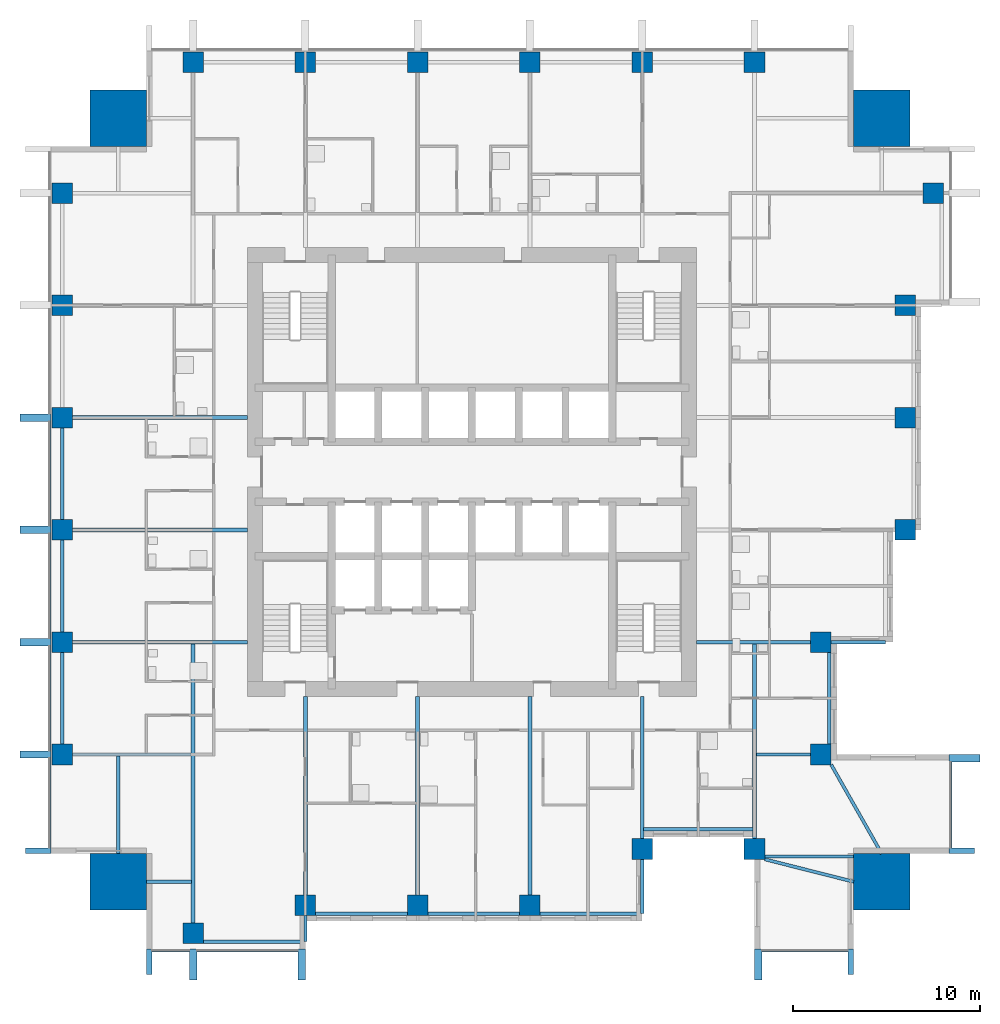
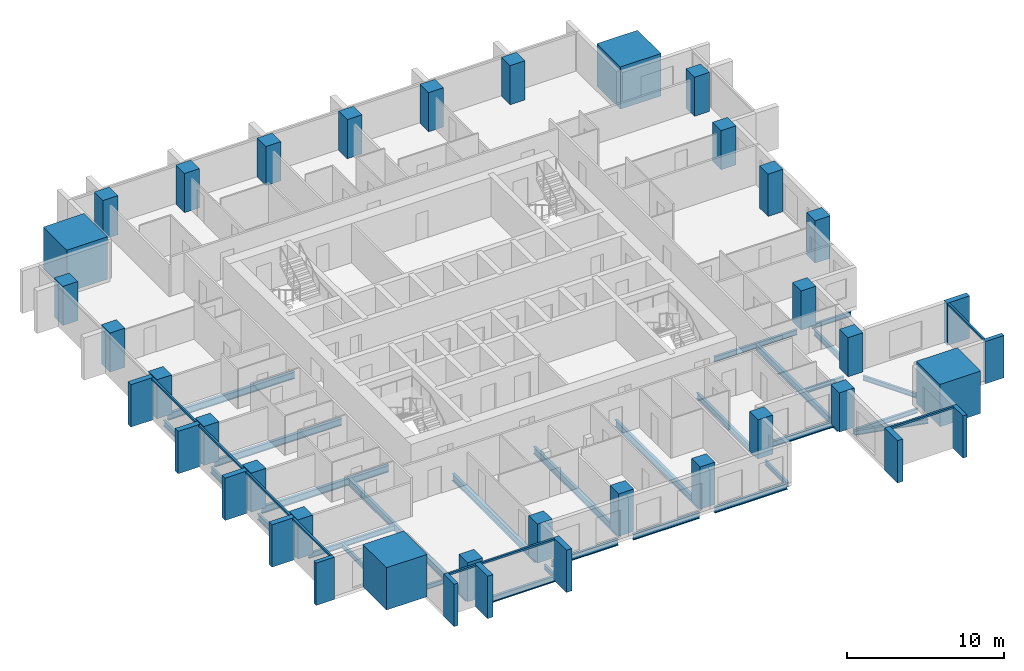
# One storey, part 1 of 10: 29 beams, 28 columns, 20 members, 4 elements without a shape of their own.
"""IFC4 building model written with IfcOpenShell, lengths in metres."""

from ifc_helpers import new_model, si_unit, direction, frame, origin, origin_2d, place, context, subcontext, project, spatial, rectangle, i_section, extrude, material, material_profile, profile_set, type_object, element, aggregate, save


model = new_model("IFC4")

# Units and contexts
model_context = context("Model", 3, precision=1e-05, world=origin(), true_north=direction((0.0, 1.0)))
body_context = subcontext(model_context, "Body", "Model", "MODEL_VIEW")
ifc_project = project(units=[si_unit("LENGTHUNIT", "METRE"), si_unit("AREAUNIT", "SQUARE_METRE"), si_unit("VOLUMEUNIT", "CUBIC_METRE"), si_unit("PLANEANGLEUNIT", "RADIAN"), si_unit("MASSUNIT", "GRAM", prefix="KILO")], contexts=[model_context])

# Site, building, storey
site_placement = place(None, origin())
site = spatial("IfcSite", under=ifc_project, at=site_placement, CompositionType="ELEMENT")
building_placement = place(site_placement, origin())
building = spatial("IfcBuilding", under=site, at=building_placement, Name="Amberfall Residences", CompositionType="ELEMENT")
storey_placement = place(building_placement, frame((0.0, 0.0, 105.10009765625)))
storey = spatial("IfcBuildingStorey", under=building, at=storey_placement, Name="L28", CompositionType="ELEMENT", Elevation=105.10009765625)

# Columns
ifc_material_1 = material(Name="Concrete C70", Category="concrete")
ifc_material_profile_1 = material_profile(ifc_material_1, rectangle(XDim=1.10009765625, YDim=1.10009765625, at=origin_2d()), Name="Column 1100 x 1100 C70")
ifc_profile_set_1 = profile_set([ifc_material_profile_1], Name="Concrete C70")
column_type_1 = type_object("IfcColumnType", Name="Column 1100 x 1100 C70", PredefinedType="COLUMN", material=ifc_profile_set_1)
for number, where, z_axis, x_axis, name in (
    (1, (59.60009765625, 20.85009765625, 0.0), (0.0, 0.0, 1.0), (1.0, 0.0, 0.0), "Column C2 L28 S1"),
    (2, (65.60009765625, 22.35009765625, 0.0), (0.0, 0.0, 1.0), (1.0, 0.0, 0.0), "Column C2 L28 S2"),
):
    element("IfcColumn", number, at=place(storey_placement, frame(where, z_axis=z_axis, x_axis=x_axis)), inside=storey, type_object=column_type_1, Name=name, PredefinedType="COLUMN", context=body_context, shape_type="SweptSolid", body=[
        extrude(rectangle(XDim=1.10009765625, YDim=1.10009765625, at=origin_2d()), origin(), (0.0, 0.0, 1.0), 3.0498046875),
    ])
for number, where, z_axis, x_axis, name in (
    (3, (71.60009765625, 22.35009765625, 0.0), (0.0, 0.0, 1.0), (1.0, 0.0, 0.0), "Column C2 L28 S3"),
    (4, (77.60009765625, 22.35009765625, 0.0), (0.0, 0.0, 1.0), (1.0, 0.0, 0.0), "Column C2 L28 S4"),
):
    element("IfcColumn", number, at=place(storey_placement, frame(where, z_axis=z_axis, x_axis=x_axis)), inside=storey, type_object=column_type_1, Name=name, PredefinedType="COLUMN", context=body_context, shape_type="SweptSolid", body=[
        extrude(rectangle(XDim=1.10009765625, YDim=1.10009765625, at=origin_2d()), origin(), (0.0, 0.0, 1.0), 3.2998046875),
    ])
for number, where, z_axis, x_axis, name in (
    (5, (83.60009765625, 25.35009765625, 0.0), (0.0, 0.0, 1.0), (1.0, 0.0, 0.0), "Column C2 L28 S5"),
    (6, (89.60009765625, 25.35009765625, 0.0), (0.0, 0.0, 1.0), (1.0, 0.0, 0.0), "Column C2 L28 S6"),
    (7, (93.14990234375, 30.39990234375, 0.0), (0.0, 0.0, 1.0), (1.0, 0.0, 0.0), "Column C2 L28 E1"),
    (8, (93.14990234375, 36.39990234375, 0.0), (0.0, 0.0, 1.0), (1.0, 0.0, 0.0), "Column C2 L28 E2"),
):
    element("IfcColumn", number, at=place(storey_placement, frame(where, z_axis=z_axis, x_axis=x_axis)), inside=storey, type_object=column_type_1, Name=name, PredefinedType="COLUMN", context=body_context, shape_type="SweptSolid", body=[
        extrude(rectangle(XDim=1.10009765625, YDim=1.10009765625, at=origin_2d()), origin(), (0.0, 0.0, 1.0), 3.0498046875),
    ])
for number, where, z_axis, x_axis, name in (
    (9, (97.64990234375, 42.39990234375, 0.0), (0.0, 0.0, 1.0), (1.0, 0.0, 0.0), "Column C2 L28 E3"),
    (10, (97.64990234375, 48.39990234375, 0.0), (0.0, 0.0, 1.0), (1.0, 0.0, 0.0), "Column C2 L28 E4"),
):
    element("IfcColumn", number, at=place(storey_placement, frame(where, z_axis=z_axis, x_axis=x_axis)), inside=storey, type_object=column_type_1, Name=name, PredefinedType="COLUMN", context=body_context, shape_type="SweptSolid", body=[
        extrude(rectangle(XDim=1.10009765625, YDim=1.10009765625, at=origin_2d()), origin(), (0.0, 0.0, 1.0), 3.2998046875),
    ])
for number, where, z_axis, x_axis, name in (
    (11, (97.64990234375, 54.39990234375, 0.0), (0.0, 0.0, 1.0), (1.0, 0.0, 0.0), "Column C2 L28 E5"),
    (12, (99.14990234375, 60.39990234375, 0.0), (0.0, 0.0, 1.0), (1.0, 0.0, 0.0), "Column C2 L28 E6"),
    (13, (59.60009765625, 67.39990234375, 0.0), (0.0, 0.0, 1.0), (1.0, 0.0, 0.0), "Column C2 L28 N1"),
    (14, (65.60009765625, 67.39990234375, 0.0), (0.0, 0.0, 1.0), (1.0, 0.0, 0.0), "Column C2 L28 N2"),
    (15, (71.60009765625, 67.39990234375, 0.0), (0.0, 0.0, 1.0), (1.0, 0.0, 0.0), "Column C2 L28 N3"),
    (16, (77.60009765625, 67.39990234375, 0.0), (0.0, 0.0, 1.0), (1.0, 0.0, 0.0), "Column C2 L28 N4"),
    (17, (83.60009765625, 67.39990234375, 0.0), (0.0, 0.0, 1.0), (1.0, 0.0, 0.0), "Column C2 L28 N5"),
    (18, (89.60009765625, 67.39990234375, 0.0), (0.0, 0.0, 1.0), (1.0, 0.0, 0.0), "Column C2 L28 N6"),
    (19, (52.60009765625, 30.39990234375, 0.0), (0.0, 0.0, 1.0), (1.0, 0.0, 0.0), "Column C2 L28 W1"),
    (20, (52.60009765625, 36.39990234375, 0.0), (0.0, 0.0, 1.0), (1.0, 0.0, 0.0), "Column C2 L28 W2"),
    (21, (52.60009765625, 42.39990234375, 0.0), (0.0, 0.0, 1.0), (1.0, 0.0, 0.0), "Column C2 L28 W3"),
    (22, (52.60009765625, 48.39990234375, 0.0), (0.0, 0.0, 1.0), (1.0, 0.0, 0.0), "Column C2 L28 W4"),
    (23, (52.60009765625, 54.39990234375, 0.0), (0.0, 0.0, 1.0), (1.0, 0.0, 0.0), "Column C2 L28 W5"),
    (24, (52.60009765625, 60.39990234375, 0.0), (0.0, 0.0, 1.0), (1.0, 0.0, 0.0), "Column C2 L28 W6"),
):
    element("IfcColumn", number, at=place(storey_placement, frame(where, z_axis=z_axis, x_axis=x_axis)), inside=storey, type_object=column_type_1, Name=name, PredefinedType="COLUMN", context=body_context, shape_type="SweptSolid", body=[
        extrude(rectangle(XDim=1.10009765625, YDim=1.10009765625, at=origin_2d()), origin(), (0.0, 0.0, 1.0), 3.0498046875),
    ])
ifc_material_profile_2 = material_profile(ifc_material_1, rectangle(XDim=3.0, YDim=3.0, at=origin_2d()), Name="Mega column 3000 x 3000 C70")
ifc_profile_set_2 = profile_set([ifc_material_profile_2], Name="Concrete C70")
column_type_2 = type_object("IfcColumnType", Name="Mega column 3000 x 3000 C70", PredefinedType="COLUMN", material=ifc_profile_set_2)
for number, where, z_axis, x_axis, name in (
    (25, (55.60009765625, 23.60009765625, 0.0), (0.0, 0.0, 1.0), (1.0, 0.0, 0.0), "Mega column MC2 L28 SW"),
    (26, (96.39990234375, 23.60009765625, 0.0), (0.0, 0.0, 1.0), (1.0, 0.0, 0.0), "Mega column MC2 L28 SE"),
    (27, (96.39990234375, 64.39990234375, 0.0), (0.0, 0.0, 1.0), (1.0, 0.0, 0.0), "Mega column MC2 L28 NE"),
    (28, (55.60009765625, 64.39990234375, 0.0), (0.0, 0.0, 1.0), (1.0, 0.0, 0.0), "Mega column MC2 L28 NW"),
):
    element("IfcColumn", number, at=place(storey_placement, frame(where, z_axis=z_axis, x_axis=x_axis)), inside=storey, type_object=column_type_2, Name=name, PredefinedType="COLUMN", context=body_context, shape_type="SweptSolid", body=[
        extrude(rectangle(XDim=3.0, YDim=3.0, at=origin_2d()), origin(), (0.0, 0.0, 1.0), 3.2998046875),
    ])

# Curtain wall, members
ifc_material_2 = material(Name="Bronze anodised aluminium and glass", Category="aluminium")
curtain_wall_type = type_object("IfcCurtainWallType", Name="Curtain wall CW1 tower unit", PredefinedType="USERDEFINED", material=ifc_material_2)
curtain_wall_1_placement = place(storey_placement, origin())
curtain_wall_1 = element("IfcCurtainWall", 29, at=curtain_wall_1_placement, inside=storey, type_object=curtain_wall_type, Name="Curtain wall L28 S S1", ObjectType="UNITISED CURTAIN WALL", PredefinedType="USERDEFINED")
ifc_material_3 = material(Name="Bronze anodised aluminium", Category="aluminium")
ifc_material_profile_3 = material_profile(ifc_material_3, rectangle(XDim=0.14990234375, YDim=0.14990234375, at=origin_2d()), Name="CW1 transom 150 x 150 bronze")
ifc_profile_set_3 = profile_set([ifc_material_profile_3], Name="Bronze anodised aluminium")
member_type_1 = type_object("IfcMemberType", Name="CW1 transom 150 x 150 bronze", PredefinedType="USERDEFINED", material=ifc_profile_set_3)
member_1_placement = place(storey_placement, frame((57.39990234375, 19.925048828125, 2.974853515625), z_axis=(1.0, 0.0, 0.0), x_axis=(0.0, 1.0, 0.0)))
member_1 = element("IfcMember", 30, at=member_1_placement, type_object=member_type_1, Name="CW1 transom 1.1", ObjectType="TRANSOM", PredefinedType="USERDEFINED", context=body_context, shape_type="SweptSolid", body=[
    extrude(rectangle(XDim=0.14990234375, YDim=0.14990234375, at=origin_2d()), origin(), (0.0, 0.0, 1.0), 2.0),
])
member_2_placement = place(storey_placement, frame((59.800048828125, 19.925048828125, 2.974853515625), z_axis=(1.0, 0.0, 0.0), x_axis=(0.0, 1.0, 0.0)))
member_2 = element("IfcMember", 31, at=member_2_placement, type_object=member_type_1, Name="CW1 transom 2.1", ObjectType="TRANSOM", PredefinedType="USERDEFINED", context=body_context, shape_type="SweptSolid", body=[
    extrude(rectangle(XDim=0.14990234375, YDim=0.14990234375, at=origin_2d()), origin(), (0.0, 0.0, 1.0), 5.39990234375),
])

# Curtain wall, member
curtain_wall_2_placement = place(storey_placement, origin())
curtain_wall_2 = element("IfcCurtainWall", 32, at=curtain_wall_2_placement, inside=storey, type_object=curtain_wall_type, Name="Curtain wall L28 S S9", ObjectType="UNITISED CURTAIN WALL", PredefinedType="USERDEFINED")
member_3_placement = place(storey_placement, frame((90.0, 19.925048828125, 2.974853515625), z_axis=(1.0, 0.0, 0.0), x_axis=(0.0, 1.0, 0.0)))
member_3 = element("IfcMember", 33, at=member_3_placement, type_object=member_type_1, Name="CW1 transom 1.1", ObjectType="TRANSOM", PredefinedType="USERDEFINED", context=body_context, shape_type="SweptSolid", body=[
    extrude(rectangle(XDim=0.14990234375, YDim=0.14990234375, at=origin_2d()), origin(), (0.0, 0.0, 1.0), 4.60009765625),
])

curtain_wall_3_placement = place(storey_placement, origin())
curtain_wall_3 = element("IfcCurtainWall", 34, at=curtain_wall_3_placement, inside=storey, type_object=curtain_wall_type, Name="Curtain wall L28 E E1", ObjectType="UNITISED CURTAIN WALL", PredefinedType="USERDEFINED")
member_4_placement = place(storey_placement, frame((100.074951171875, 25.39990234375, 2.974853515625), z_axis=(0.0, 1.0, 0.0), x_axis=(-1.0, 0.0, 0.0)))
member_4 = element("IfcMember", 35, at=member_4_placement, type_object=member_type_1, Name="CW1 transom 1.1", ObjectType="TRANSOM", PredefinedType="USERDEFINED", context=body_context, shape_type="SweptSolid", body=[
    extrude(rectangle(XDim=0.14990234375, YDim=0.14990234375, at=origin_2d()), origin(), (0.0, 0.0, 1.0), 4.60009765625),
])

# Curtain wall, members
curtain_wall_4_placement = place(storey_placement, origin())
curtain_wall_4 = element("IfcCurtainWall", 36, at=curtain_wall_4_placement, inside=storey, type_object=curtain_wall_type, Name="Curtain wall L28 W W1", ObjectType="UNITISED CURTAIN WALL", PredefinedType="USERDEFINED")
member_5_placement = place(storey_placement, frame((51.925048828125, 48.199951171875, 2.974853515625), z_axis=(0.0, -1.0, 0.0), x_axis=(1.0, 0.0, 0.0)))
member_5 = element("IfcMember", 37, at=member_5_placement, type_object=member_type_1, Name="CW1 transom 4.1", ObjectType="TRANSOM", PredefinedType="USERDEFINED", context=body_context, shape_type="SweptSolid", body=[
    extrude(rectangle(XDim=0.14990234375, YDim=0.14990234375, at=origin_2d()), origin(), (0.0, 0.0, 1.0), 5.599853515625),
])
member_6_placement = place(storey_placement, frame((51.925048828125, 42.199951171875, 2.974853515625), z_axis=(0.0, -1.0, 0.0), x_axis=(1.0, 0.0, 0.0)))
member_6 = element("IfcMember", 38, at=member_6_placement, type_object=member_type_1, Name="CW1 transom 5.1", ObjectType="TRANSOM", PredefinedType="USERDEFINED", context=body_context, shape_type="SweptSolid", body=[
    extrude(rectangle(XDim=0.14990234375, YDim=0.14990234375, at=origin_2d()), origin(), (0.0, 0.0, 1.0), 5.599853515625),
])
member_7_placement = place(storey_placement, frame((51.925048828125, 36.199951171875, 2.974853515625), z_axis=(0.0, -1.0, 0.0), x_axis=(1.0, 0.0, 0.0)))
member_7 = element("IfcMember", 39, at=member_7_placement, type_object=member_type_1, Name="CW1 transom 6.1", ObjectType="TRANSOM", PredefinedType="USERDEFINED", context=body_context, shape_type="SweptSolid", body=[
    extrude(rectangle(XDim=0.14990234375, YDim=0.14990234375, at=origin_2d()), origin(), (0.0, 0.0, 1.0), 5.599853515625),
])
member_8_placement = place(storey_placement, frame((51.925048828125, 30.199951171875, 2.974853515625), z_axis=(0.0, -1.0, 0.0), x_axis=(1.0, 0.0, 0.0)))
member_8 = element("IfcMember", 40, at=member_8_placement, type_object=member_type_1, Name="CW1 transom 7.1", ObjectType="TRANSOM", PredefinedType="USERDEFINED", context=body_context, shape_type="SweptSolid", body=[
    extrude(rectangle(XDim=0.14990234375, YDim=0.14990234375, at=origin_2d()), origin(), (0.0, 0.0, 1.0), 4.800048828125),
])

# Beams
ifc_material_4 = material(Name="Steel S355", Category="steel")
ifc_material_profile_4 = material_profile(ifc_material_4, i_section(OverallWidth=0.171142578125, OverallDepth=0.351318359375, WebThickness=0.007080078125, FlangeThickness=0.009765625, FilletRadius=0.01025390625, at=origin_2d()), Name="UB 356x171x45")
ifc_profile_set_4 = profile_set([ifc_material_profile_4], Name="Steel S355")
beam_type_1 = type_object("IfcBeamType", Name="Cantilever girder UB 356x171x45", PredefinedType="BEAM", material=ifc_profile_set_4)
beam_1_placement = place(storey_placement, frame((65.60009765625, 21.800048828125, -0.42578125), z_axis=(0.0, -1.0, 0.0), x_axis=(1.0, 0.0, 0.0)))
element("IfcBeam", 41, at=beam_1_placement, inside=storey, type_object=beam_type_1, Name="Cantilever girder B8 L28 06", PredefinedType="BEAM", context=body_context, shape_type="SweptSolid", body=[
    extrude(i_section(OverallWidth=0.171142578125, OverallDepth=0.351318359375, WebThickness=0.007080078125, FlangeThickness=0.009765625, FilletRadius=0.01025390625, at=origin_2d()), origin(), (0.0, 0.0, 1.0), 1.400146484375),
])
for number, where, z_axis, x_axis, name in (
    (42, (83.60009765625, 24.800048828125, -0.42578125), (0.0, -1.0, 0.0), (1.0, 0.0, 0.0), "Cantilever girder B8 L28 07"),
    (43, (93.699951171875, 36.39990234375, -0.42578125), (1.0, 0.0, 0.0), (0.0, 1.0, 0.0), "Cantilever girder B8 L28 19"),
):
    element("IfcBeam", number, at=place(storey_placement, frame(where, z_axis=z_axis, x_axis=x_axis)), inside=storey, type_object=beam_type_1, Name=name, PredefinedType="BEAM", context=body_context, shape_type="SweptSolid", body=[
        extrude(i_section(OverallWidth=0.171142578125, OverallDepth=0.351318359375, WebThickness=0.007080078125, FlangeThickness=0.009765625, FilletRadius=0.01025390625, at=origin_2d()), origin(), (0.0, 0.0, 1.0), 2.900146484375),
    ])

# Member
ifc_material_profile_5 = material_profile(ifc_material_3, rectangle(XDim=1.35009765625, YDim=0.300048828125, at=origin_2d()), Name="Corner fin 300 x 1350 bronze")
ifc_profile_set_5 = profile_set([ifc_material_profile_5], Name="Bronze anodised aluminium")
member_type_2 = type_object("IfcMemberType", Name="Corner fin 300 x 1350 bronze", PredefinedType="MULLION", material=ifc_profile_set_5)
member_9_placement = place(storey_placement, frame((57.25, 19.324951171875, -0.25), z_axis=(0.0, 0.0, 1.0), x_axis=(0.0, 1.0, 0.0)))
member_9 = element("IfcMember", 44, at=member_9_placement, type_object=member_type_2, Name="CW FIN 1", PredefinedType="MULLION", context=body_context, shape_type="SweptSolid", body=[
    extrude(rectangle(XDim=1.35009765625, YDim=0.300048828125, at=origin_2d()), origin(), (0.0, 0.0, 1.0), 3.2998046875),
])

member_10_placement = place(storey_placement, frame((94.75, 19.324951171875, -0.25), z_axis=(0.0, 0.0, 1.0), x_axis=(0.0, 1.0, 0.0)))
member_10 = element("IfcMember", 45, at=member_10_placement, type_object=member_type_2, Name="CW FIN 2", PredefinedType="MULLION", context=body_context, shape_type="SweptSolid", body=[
    extrude(rectangle(XDim=1.35009765625, YDim=0.300048828125, at=origin_2d()), origin(), (0.0, 0.0, 1.0), 3.2998046875),
])

member_11_placement = place(storey_placement, frame((100.675048828125, 25.25, -0.25), z_axis=(0.0, 0.0, 1.0), x_axis=(-1.0, 0.0, 0.0)))
member_11 = element("IfcMember", 46, at=member_11_placement, type_object=member_type_2, Name="CW FIN 1", PredefinedType="MULLION", context=body_context, shape_type="SweptSolid", body=[
    extrude(rectangle(XDim=1.35009765625, YDim=0.300048828125, at=origin_2d()), origin(), (0.0, 0.0, 1.0), 3.2998046875),
])

member_12_placement = place(storey_placement, frame((51.324951171875, 25.25, -0.25), z_axis=(0.0, 0.0, 1.0), x_axis=(1.0, 0.0, 0.0)))
member_12 = element("IfcMember", 47, at=member_12_placement, type_object=member_type_2, Name="CW FIN 8", PredefinedType="MULLION", context=body_context, shape_type="SweptSolid", body=[
    extrude(rectangle(XDim=1.35009765625, YDim=0.300048828125, at=origin_2d()), origin(), (0.0, 0.0, 1.0), 3.2998046875),
])

# Beams
ifc_material_profile_6 = material_profile(ifc_material_4, i_section(OverallWidth=0.18994140625, OverallDepth=0.453369140625, WebThickness=0.008544921875, FlangeThickness=0.0126953125, FilletRadius=0.01025390625, at=origin_2d()), Name="UB 457x191x67")
ifc_profile_set_6 = profile_set([ifc_material_profile_6], Name="Steel S355")
beam_type_2 = type_object("IfcBeamType", Name="Edge beam UB 457x191x67", PredefinedType="SPANDREL", material=ifc_profile_set_6)
beam_2_placement = place(storey_placement, frame((60.14990234375, 20.39990234375, -0.476806640625), z_axis=(1.0, 0.0, 0.0), x_axis=(0.0, 1.0, 0.0)))
element("IfcBeam", 48, at=beam_2_placement, inside=storey, type_object=beam_type_2, Name="Edge beam B1 L28 01", PredefinedType="SPANDREL", context=body_context, shape_type="SweptSolid", body=[
    extrude(i_section(OverallWidth=0.18994140625, OverallDepth=0.453369140625, WebThickness=0.008544921875, FlangeThickness=0.0126953125, FilletRadius=0.01025390625, at=origin_2d()), origin(), (0.0, 0.0, 1.0), 5.3701171875),
])
for number, where, z_axis, x_axis, name in (
    (49, (66.14990234375, 21.89990234375, -0.476806640625), (1.0, 0.0, 0.0), (0.0, 1.0, 0.0), "Edge beam B1 L28 02"),
    (50, (72.14990234375, 21.89990234375, -0.476806640625), (1.0, 0.0, 0.0), (0.0, 1.0, 0.0), "Edge beam B1 L28 03"),
):
    element("IfcBeam", number, at=place(storey_placement, frame(where, z_axis=z_axis, x_axis=x_axis)), inside=storey, type_object=beam_type_2, Name=name, PredefinedType="SPANDREL", context=body_context, shape_type="SweptSolid", body=[
        extrude(i_section(OverallWidth=0.18994140625, OverallDepth=0.453369140625, WebThickness=0.008544921875, FlangeThickness=0.0126953125, FilletRadius=0.01025390625, at=origin_2d()), origin(), (0.0, 0.0, 1.0), 4.900146484375),
    ])
beam_3_placement = place(storey_placement, frame((78.14990234375, 21.89990234375, -0.476806640625), z_axis=(1.0, 0.0, 0.0), x_axis=(0.0, 1.0, 0.0)))
element("IfcBeam", 51, at=beam_3_placement, inside=storey, type_object=beam_type_2, Name="Edge beam B1 L28 04", PredefinedType="SPANDREL", context=body_context, shape_type="SweptSolid", body=[
    extrude(i_section(OverallWidth=0.18994140625, OverallDepth=0.453369140625, WebThickness=0.008544921875, FlangeThickness=0.0126953125, FilletRadius=0.01025390625, at=origin_2d()), origin(), (0.0, 0.0, 1.0), 5.3701171875),
])
beam_4_placement = place(storey_placement, frame((83.679931640625, 26.39990234375, -0.476806640625), z_axis=(1.0, 0.0, 0.0), x_axis=(0.0, 1.0, 0.0)))
element("IfcBeam", 52, at=beam_4_placement, inside=storey, type_object=beam_type_2, Name="Edge beam B1 L28 05", PredefinedType="SPANDREL", context=body_context, shape_type="SweptSolid", body=[
    extrude(i_section(OverallWidth=0.18994140625, OverallDepth=0.453369140625, WebThickness=0.008544921875, FlangeThickness=0.0126953125, FilletRadius=0.01025390625, at=origin_2d()), origin(), (0.0, 0.0, 1.0), 5.840087890625),
])
for number, where, z_axis, x_axis, name in (
    (53, (93.60009765625, 30.949951171875, -0.476806640625), (0.0, 1.0, 0.0), (-1.0, 0.0, 0.0), "Edge beam B1 L28 14"),
    (54, (52.60009765625, 30.949951171875, -0.476806640625), (0.0, 1.0, 0.0), (-1.0, 0.0, 0.0), "Edge beam B1 L28 38"),
    (55, (52.60009765625, 36.949951171875, -0.476806640625), (0.0, 1.0, 0.0), (-1.0, 0.0, 0.0), "Edge beam B1 L28 39"),
    (56, (52.60009765625, 42.949951171875, -0.476806640625), (0.0, 1.0, 0.0), (-1.0, 0.0, 0.0), "Edge beam B1 L28 40"),
):
    element("IfcBeam", number, at=place(storey_placement, frame(where, z_axis=z_axis, x_axis=x_axis)), inside=storey, type_object=beam_type_2, Name=name, PredefinedType="SPANDREL", context=body_context, shape_type="SweptSolid", body=[
        extrude(i_section(OverallWidth=0.18994140625, OverallDepth=0.453369140625, WebThickness=0.008544921875, FlangeThickness=0.0126953125, FilletRadius=0.01025390625, at=origin_2d()), origin(), (0.0, 0.0, 1.0), 4.900146484375),
    ])

# Member
ifc_material_profile_7 = material_profile(ifc_material_3, rectangle(XDim=1.64990234375, YDim=0.39990234375, at=origin_2d()), Name="Fin 400 x 1650 bronze")
ifc_profile_set_7 = profile_set([ifc_material_profile_7], Name="Bronze anodised aluminium")
member_type_3 = type_object("IfcMemberType", Name="Fin 400 x 1650 bronze", PredefinedType="MULLION", material=ifc_profile_set_7)
member_13_placement = place(storey_placement, frame((59.60009765625, 19.175048828125, -0.25), z_axis=(0.0, 0.0, 1.0), x_axis=(0.0, 1.0, 0.0)))
member_13 = element("IfcMember", 57, at=member_13_placement, type_object=member_type_3, Name="CW FIN 2", PredefinedType="MULLION", context=body_context, shape_type="SweptSolid", body=[
    extrude(rectangle(XDim=1.64990234375, YDim=0.39990234375, at=origin_2d()), origin(), (0.0, 0.0, 1.0), 3.2998046875),
])

member_14_placement = place(storey_placement, frame((65.39990234375, 19.175048828125, -0.25), z_axis=(0.0, 0.0, 1.0), x_axis=(0.0, 1.0, 0.0)))
member_14 = element("IfcMember", 58, at=member_14_placement, type_object=member_type_3, Name="CW FIN 3", PredefinedType="MULLION", context=body_context, shape_type="SweptSolid", body=[
    extrude(rectangle(XDim=1.64990234375, YDim=0.39990234375, at=origin_2d()), origin(), (0.0, 0.0, 1.0), 3.2998046875),
])

aggregate(curtain_wall_1, [member_9, member_13, member_14, member_1, member_2])

member_15_placement = place(storey_placement, frame((89.800048828125, 19.175048828125, -0.25), z_axis=(0.0, 0.0, 1.0), x_axis=(0.0, 1.0, 0.0)))
member_15 = element("IfcMember", 59, at=member_15_placement, type_object=member_type_3, Name="CW FIN 1", PredefinedType="MULLION", context=body_context, shape_type="SweptSolid", body=[
    extrude(rectangle(XDim=1.64990234375, YDim=0.39990234375, at=origin_2d()), origin(), (0.0, 0.0, 1.0), 3.2998046875),
])

aggregate(curtain_wall_2, [member_15, member_10, member_3])

member_16_placement = place(storey_placement, frame((100.824951171875, 30.199951171875, -0.25), z_axis=(0.0, 0.0, 1.0), x_axis=(-1.0, 0.0, 0.0)))
member_16 = element("IfcMember", 60, at=member_16_placement, type_object=member_type_3, Name="CW FIN 2", PredefinedType="MULLION", context=body_context, shape_type="SweptSolid", body=[
    extrude(rectangle(XDim=1.64990234375, YDim=0.39990234375, at=origin_2d()), origin(), (0.0, 0.0, 1.0), 3.2998046875),
])

aggregate(curtain_wall_3, [member_11, member_16, member_4])

member_17_placement = place(storey_placement, frame((51.175048828125, 48.39990234375, -0.25), z_axis=(0.0, 0.0, 1.0), x_axis=(1.0, 0.0, 0.0)))
member_17 = element("IfcMember", 61, at=member_17_placement, type_object=member_type_3, Name="CW FIN 4", PredefinedType="MULLION", context=body_context, shape_type="SweptSolid", body=[
    extrude(rectangle(XDim=1.64990234375, YDim=0.39990234375, at=origin_2d()), origin(), (0.0, 0.0, 1.0), 3.2998046875),
])

member_18_placement = place(storey_placement, frame((51.175048828125, 42.39990234375, -0.25), z_axis=(0.0, 0.0, 1.0), x_axis=(1.0, 0.0, 0.0)))
member_18 = element("IfcMember", 62, at=member_18_placement, type_object=member_type_3, Name="CW FIN 5", PredefinedType="MULLION", context=body_context, shape_type="SweptSolid", body=[
    extrude(rectangle(XDim=1.64990234375, YDim=0.39990234375, at=origin_2d()), origin(), (0.0, 0.0, 1.0), 3.2998046875),
])

member_19_placement = place(storey_placement, frame((51.175048828125, 36.39990234375, -0.25), z_axis=(0.0, 0.0, 1.0), x_axis=(1.0, 0.0, 0.0)))
member_19 = element("IfcMember", 63, at=member_19_placement, type_object=member_type_3, Name="CW FIN 6", PredefinedType="MULLION", context=body_context, shape_type="SweptSolid", body=[
    extrude(rectangle(XDim=1.64990234375, YDim=0.39990234375, at=origin_2d()), origin(), (0.0, 0.0, 1.0), 3.2998046875),
])

member_20_placement = place(storey_placement, frame((51.175048828125, 30.39990234375, -0.25), z_axis=(0.0, 0.0, 1.0), x_axis=(1.0, 0.0, 0.0)))
member_20 = element("IfcMember", 64, at=member_20_placement, type_object=member_type_3, Name="CW FIN 7", PredefinedType="MULLION", context=body_context, shape_type="SweptSolid", body=[
    extrude(rectangle(XDim=1.64990234375, YDim=0.39990234375, at=origin_2d()), origin(), (0.0, 0.0, 1.0), 3.2998046875),
])

aggregate(curtain_wall_4, [member_17, member_18, member_19, member_20, member_12, member_5, member_6, member_7, member_8])

# Beams
ifc_material_profile_8 = material_profile(ifc_material_4, i_section(OverallWidth=0.171142578125, OverallDepth=0.351318359375, WebThickness=0.007080078125, FlangeThickness=0.009765625, FilletRadius=0.01025390625, at=origin_2d()), Name="UB 356x171x45")
ifc_profile_set_8 = profile_set([ifc_material_profile_8], Name="Steel S355")
beam_type_3 = type_object("IfcBeamType", Name="Floor girder UB 356x171x45", PredefinedType="BEAM", material=ifc_profile_set_8)
beam_5_placement = place(storey_placement, frame((92.60009765625, 30.39990234375, -0.42578125), z_axis=(-1.0, 0.0, 0.0), x_axis=(0.0, -1.0, 0.0)))
element("IfcBeam", 65, at=beam_5_placement, inside=storey, type_object=beam_type_3, Name="Floor girder B11 L28 21", PredefinedType="BEAM", context=body_context, shape_type="SweptSolid", body=[
    extrude(i_section(OverallWidth=0.171142578125, OverallDepth=0.351318359375, WebThickness=0.007080078125, FlangeThickness=0.009765625, FilletRadius=0.01025390625, at=origin_2d()), origin(), (0.0, 0.0, 1.0), 2.880126953125),
])
ifc_material_profile_9 = material_profile(ifc_material_4, i_section(OverallWidth=0.177734375, OverallDepth=0.402587890625, WebThickness=0.0078125, FlangeThickness=0.010986328125, FilletRadius=0.01025390625, at=origin_2d()), Name="UB 406x178x54")
ifc_profile_set_9 = profile_set([ifc_material_profile_9], Name="Steel S355")
beam_type_4 = type_object("IfcBeamType", Name="Floor girder UB 406x178x54", PredefinedType="BEAM", material=ifc_profile_set_9)
beam_6_placement = place(storey_placement, frame((92.60009765625, 36.39990234375, -0.451416015625), z_axis=(-1.0, 0.0, 0.0), x_axis=(0.0, -1.0, 0.0)))
element("IfcBeam", 66, at=beam_6_placement, inside=storey, type_object=beam_type_4, Name="Floor girder B4 L28 22", PredefinedType="BEAM", context=body_context, shape_type="SweptSolid", body=[
    extrude(i_section(OverallWidth=0.177734375, OverallDepth=0.402587890625, WebThickness=0.0078125, FlangeThickness=0.010986328125, FilletRadius=0.01025390625, at=origin_2d()), origin(), (0.0, 0.0, 1.0), 6.10009765625),
])
beam_7_placement = place(storey_placement, frame((53.14990234375, 30.39990234375, -0.451416015625), z_axis=(1.0, 0.0, 0.0), x_axis=(0.0, 1.0, 0.0)))
element("IfcBeam", 67, at=beam_7_placement, inside=storey, type_object=beam_type_4, Name="Floor girder B4 L28 43", PredefinedType="BEAM", context=body_context, shape_type="SweptSolid", body=[
    extrude(i_section(OverallWidth=0.177734375, OverallDepth=0.402587890625, WebThickness=0.0078125, FlangeThickness=0.010986328125, FilletRadius=0.01025390625, at=origin_2d()), origin(), (0.0, 0.0, 1.0), 6.330078125),
])
ifc_material_profile_10 = material_profile(ifc_material_4, i_section(OverallWidth=0.19140625, OverallDepth=0.4599609375, WebThickness=0.010009765625, FlangeThickness=0.01611328125, FilletRadius=0.01025390625, at=origin_2d()), Name="UB 457x191x82")
ifc_profile_set_10 = profile_set([ifc_material_profile_10], Name="Steel S355")
beam_type_5 = type_object("IfcBeamType", Name="Floor girder UB 457x191x82", PredefinedType="BEAM", material=ifc_profile_set_10)
beam_8_placement = place(storey_placement, frame((83.60009765625, 25.89990234375, -0.47998046875), z_axis=(0.0, 1.0, 0.0), x_axis=(-1.0, 0.0, 0.0)))
element("IfcBeam", 68, at=beam_8_placement, inside=storey, type_object=beam_type_5, Name="Floor girder B10 L28 12", PredefinedType="BEAM", context=body_context, shape_type="SweptSolid", body=[
    extrude(i_section(OverallWidth=0.19140625, OverallDepth=0.4599609375, WebThickness=0.010009765625, FlangeThickness=0.01611328125, FilletRadius=0.01025390625, at=origin_2d()), origin(), (0.0, 0.0, 1.0), 7.60009765625),
])
ifc_material_profile_11 = material_profile(ifc_material_4, i_section(OverallWidth=0.210693359375, OverallDepth=0.53955078125, WebThickness=0.01171875, FlangeThickness=0.018798828125, FilletRadius=0.0126953125, at=origin_2d()), Name="UB 533x210x109")
ifc_profile_set_11 = profile_set([ifc_material_profile_11], Name="Steel S355")
beam_type_6 = type_object("IfcBeamType", Name="Floor girder UB 533x210x109", PredefinedType="BEAM", material=ifc_profile_set_11)
beam_9_placement = place(storey_placement, frame((59.60009765625, 21.39990234375, -0.519775390625), z_axis=(0.0, 1.0, 0.0), x_axis=(-1.0, 0.0, 0.0)))
element("IfcBeam", 69, at=beam_9_placement, inside=storey, type_object=beam_type_6, Name="Floor girder B2 L28 08", PredefinedType="BEAM", context=body_context, shape_type="SweptSolid", body=[
    extrude(i_section(OverallWidth=0.210693359375, OverallDepth=0.53955078125, WebThickness=0.01171875, FlangeThickness=0.018798828125, FilletRadius=0.0126953125, at=origin_2d()), origin(), (0.0, 0.0, 1.0), 14.900390625),
])
ifc_material_profile_12 = material_profile(ifc_material_4, i_section(OverallWidth=0.209228515625, OverallDepth=0.533203125, WebThickness=0.010009765625, FlangeThickness=0.015625, FilletRadius=0.0126953125, at=origin_2d()), Name="UB 533x210x92")
ifc_profile_set_12 = profile_set([ifc_material_profile_12], Name="Steel S355")
beam_type_7 = type_object("IfcBeamType", Name="Floor girder UB 533x210x92", PredefinedType="BEAM", material=ifc_profile_set_12)
for number, where, z_axis, x_axis, name in (
    (70, (65.60009765625, 22.89990234375, -0.5166015625), (0.0, 1.0, 0.0), (-1.0, 0.0, 0.0), "Floor girder B3 L28 09"),
    (71, (71.60009765625, 22.89990234375, -0.5166015625), (0.0, 1.0, 0.0), (-1.0, 0.0, 0.0), "Floor girder B3 L28 10"),
    (72, (77.60009765625, 22.89990234375, -0.5166015625), (0.0, 1.0, 0.0), (-1.0, 0.0, 0.0), "Floor girder B3 L28 11"),
):
    element("IfcBeam", number, at=place(storey_placement, frame(where, z_axis=z_axis, x_axis=x_axis)), inside=storey, type_object=beam_type_7, Name=name, PredefinedType="BEAM", context=body_context, shape_type="SweptSolid", body=[
        extrude(i_section(OverallWidth=0.209228515625, OverallDepth=0.533203125, WebThickness=0.010009765625, FlangeThickness=0.015625, FilletRadius=0.0126953125, at=origin_2d()), origin(), (0.0, 0.0, 1.0), 10.60009765625),
    ])
beam_10_placement = place(storey_placement, frame((89.60009765625, 25.89990234375, -0.5166015625), z_axis=(0.0, 1.0, 0.0), x_axis=(-1.0, 0.0, 0.0)))
element("IfcBeam", 73, at=beam_10_placement, inside=storey, type_object=beam_type_7, Name="Floor girder B3 L28 13", PredefinedType="BEAM", context=body_context, shape_type="SweptSolid", body=[
    extrude(i_section(OverallWidth=0.209228515625, OverallDepth=0.533203125, WebThickness=0.010009765625, FlangeThickness=0.015625, FilletRadius=0.0126953125, at=origin_2d()), origin(), (0.0, 0.0, 1.0), 10.416259765625),
])
for number, where, z_axis, x_axis, name in (
    (74, (53.14990234375, 36.39990234375, -0.5166015625), (1.0, 0.0, 0.0), (0.0, 1.0, 0.0), "Floor girder B3 L28 44"),
    (75, (53.14990234375, 42.39990234375, -0.5166015625), (1.0, 0.0, 0.0), (0.0, 1.0, 0.0), "Floor girder B3 L28 45"),
    (76, (53.14990234375, 48.39990234375, -0.5166015625), (1.0, 0.0, 0.0), (0.0, 1.0, 0.0), "Floor girder B3 L28 46"),
):
    element("IfcBeam", number, at=place(storey_placement, frame(where, z_axis=z_axis, x_axis=x_axis)), inside=storey, type_object=beam_type_7, Name=name, PredefinedType="BEAM", context=body_context, shape_type="SweptSolid", body=[
        extrude(i_section(OverallWidth=0.209228515625, OverallDepth=0.533203125, WebThickness=0.010009765625, FlangeThickness=0.015625, FilletRadius=0.0126953125, at=origin_2d()), origin(), (0.0, 0.0, 1.0), 9.35009765625),
    ])
ifc_material_profile_13 = material_profile(ifc_material_4, i_section(OverallWidth=0.171142578125, OverallDepth=0.351318359375, WebThickness=0.007080078125, FlangeThickness=0.009765625, FilletRadius=0.01025390625, at=origin_2d()), Name="UB 356x171x45")
ifc_profile_set_13 = profile_set([ifc_material_profile_13], Name="Steel S355")
beam_type_8 = type_object("IfcBeamType", Name="Link beam UB 356x171x45", PredefinedType="BEAM", material=ifc_profile_set_13)
beam_11_placement = place(storey_placement, frame((90.14990234375, 24.949951171875, -0.42578125), z_axis=(1.0, 0.0, 0.0), x_axis=(0.0, 1.0, 0.0)))
element("IfcBeam", 77, at=beam_11_placement, inside=storey, type_object=beam_type_8, Name="Link beam B7 L28 49", PredefinedType="BEAM", context=body_context, shape_type="SweptSolid", body=[
    extrude(i_section(OverallWidth=0.171142578125, OverallDepth=0.351318359375, WebThickness=0.007080078125, FlangeThickness=0.009765625, FilletRadius=0.01025390625, at=origin_2d()), origin(), (0.0, 0.0, 1.0), 4.75),
])
beam_12_placement = place(storey_placement, frame((57.10009765625, 23.60009765625, -0.42578125), z_axis=(1.0, 0.0, 0.0), x_axis=(0.0, 1.0, 0.0)))
element("IfcBeam", 78, at=beam_12_placement, inside=storey, type_object=beam_type_8, Name="Link beam B7 L28 50", PredefinedType="BEAM", context=body_context, shape_type="SweptSolid", body=[
    extrude(i_section(OverallWidth=0.171142578125, OverallDepth=0.351318359375, WebThickness=0.007080078125, FlangeThickness=0.009765625, FilletRadius=0.01025390625, at=origin_2d()), origin(), (0.0, 0.0, 1.0), 2.404541015625),
])
beam_13_placement = place(storey_placement, frame((55.60009765625, 25.10009765625, -0.42578125), z_axis=(0.0, 1.0, 0.0), x_axis=(-1.0, 0.0, 0.0)))
element("IfcBeam", 79, at=beam_13_placement, inside=storey, type_object=beam_type_8, Name="Link beam B7 L28 51", PredefinedType="BEAM", context=body_context, shape_type="SweptSolid", body=[
    extrude(i_section(OverallWidth=0.171142578125, OverallDepth=0.351318359375, WebThickness=0.007080078125, FlangeThickness=0.009765625, FilletRadius=0.01025390625, at=origin_2d()), origin(), (0.0, 0.0, 1.0), 5.22119140625),
])
beam_14_placement = place(storey_placement, frame((94.89990234375, 23.60009765625, -0.42578125), z_axis=(-0.969541561087, 0.244926848928, 0.0), x_axis=(-0.244926848928, -0.969541561087, 0.0)))
element("IfcBeam", 80, at=beam_14_placement, inside=storey, type_object=beam_type_8, Name="Link beam B7 L28 52", PredefinedType="BEAM", context=body_context, shape_type="SweptSolid", body=[
    extrude(i_section(OverallWidth=0.171142578125, OverallDepth=0.351318359375, WebThickness=0.007080078125, FlangeThickness=0.009765625, FilletRadius=0.01025390625, at=origin_2d()), origin(), (0.0, 0.0, 1.0), 4.899169921875),
])
beam_15_placement = place(storey_placement, frame((96.39990234375, 25.10009765625, -0.42578125), z_axis=(-0.494159870511, 0.869371049884, 0.0), x_axis=(-0.869371049884, -0.494159870511, 0.0)))
element("IfcBeam", 81, at=beam_15_placement, inside=storey, type_object=beam_type_8, Name="Link beam B7 L28 53", PredefinedType="BEAM", context=body_context, shape_type="SweptSolid", body=[
    extrude(i_section(OverallWidth=0.171142578125, OverallDepth=0.351318359375, WebThickness=0.007080078125, FlangeThickness=0.009765625, FilletRadius=0.01025390625, at=origin_2d()), origin(), (0.0, 0.0, 1.0), 5.463623046875),
])

save(model, "model.ifc")
